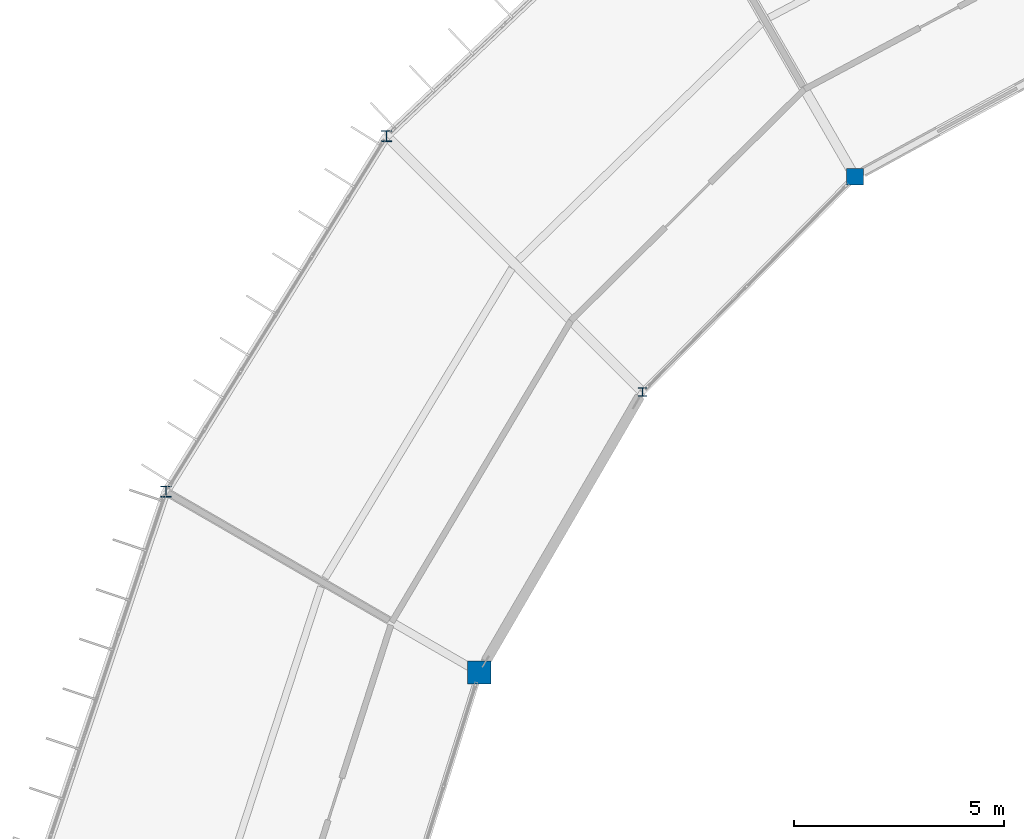
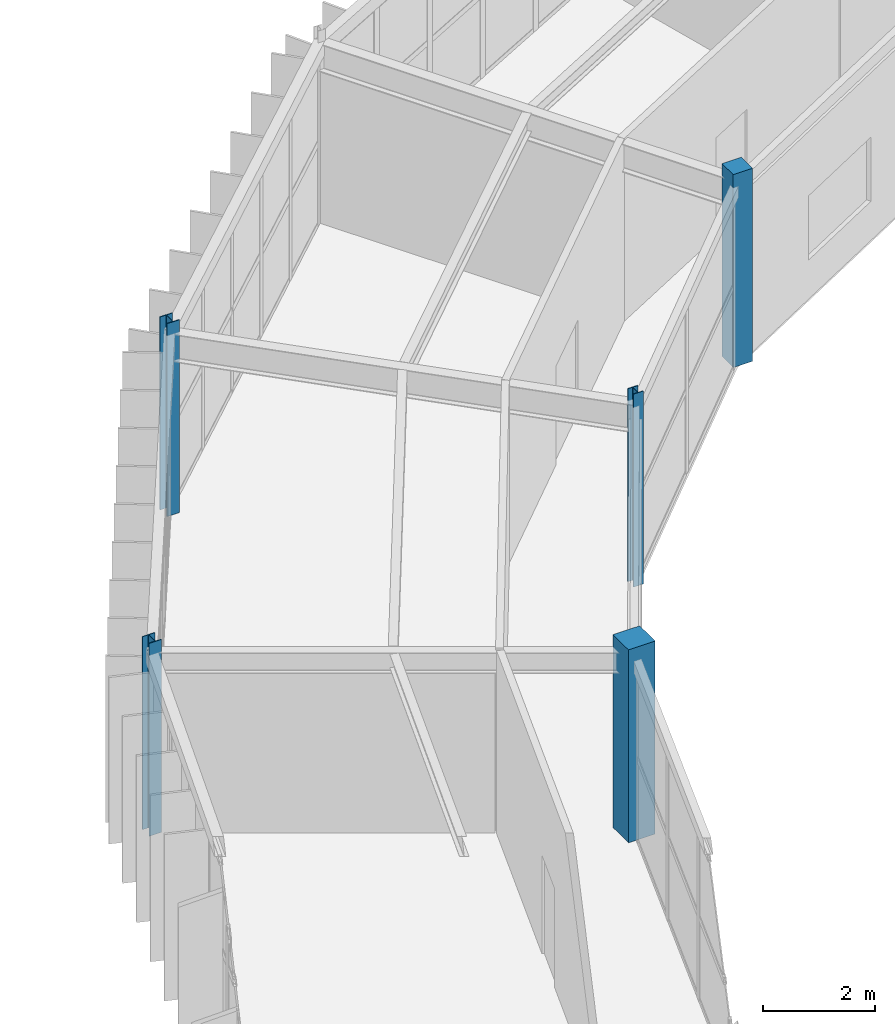
# One storey, part 14 of 157: 5 columns.
"""IFC4 building model written with IfcOpenShell, lengths in metres."""

from ifc_helpers import new_model, si_unit, direction, frame, origin, origin_2d, place, context, subcontext, project, spatial, rectangle, i_section, extrude, material, material_profile, profile_set, type_object, element, save


model = new_model("IFC4")

# Units and contexts
model_context = context("Model", 3, precision=1e-05, world=origin(), true_north=direction((0.0, 1.0)))
body_context = subcontext(model_context, "Body", "Model", "MODEL_VIEW")
ifc_project = project(units=[si_unit("LENGTHUNIT", "METRE"), si_unit("AREAUNIT", "SQUARE_METRE"), si_unit("VOLUMEUNIT", "CUBIC_METRE"), si_unit("PLANEANGLEUNIT", "RADIAN"), si_unit("MASSUNIT", "GRAM", prefix="KILO")], contexts=[model_context])

# Site, building, storey
site_placement = place(None, origin())
site = spatial("IfcSite", under=ifc_project, at=site_placement, CompositionType="ELEMENT")
building_placement = place(site_placement, origin())
building = spatial("IfcBuilding", under=site, at=building_placement, Name="Karori Crest Natural Sciences Institute", CompositionType="ELEMENT")
storey_placement = place(building_placement, frame((0.0, 0.0, 13.300048828125)))
storey = spatial("IfcBuildingStorey", under=building, at=storey_placement, Name="L03", CompositionType="ELEMENT", Elevation=13.300048828125)

# Columns
ifc_material_1 = material(Name="Structural steel AS/NZS 3679.1 Grade 350", Category="steel")
ifc_material_profile_1 = material_profile(ifc_material_1, i_section(OverallWidth=0.256103515625, OverallDepth=0.260009765625, WebThickness=0.010498046875, FlangeThickness=0.017333984375, FilletRadius=0.013916015625, at=origin_2d()), Name="250UC89.5")
ifc_profile_set_1 = profile_set([ifc_material_profile_1], Name="Structural steel AS/NZS 3679.1 Grade 350")
column_type_1 = type_object("IfcColumnType", Name="CT-06", PredefinedType="COLUMN", material=ifc_profile_set_1)
column_1_placement = place(storey_placement, frame((43.0654296875, 78.75, 0.0), z_axis=(0.0, 0.0, 1.0), x_axis=(1.0, 0.0, 0.0)))
element("IfcColumn", 1, at=column_1_placement, inside=storey, type_object=column_type_1, Name="Column C-0165", PredefinedType="COLUMN", context=body_context, shape_type="SweptSolid", body=[
    extrude(i_section(OverallWidth=0.256103515625, OverallDepth=0.260009765625, WebThickness=0.010498046875, FlangeThickness=0.017333984375, FilletRadius=0.013916015625, at=origin_2d()), origin(), (0.0, 0.0, 1.0), 4.199951171875),
])
ifc_material_profile_2 = material_profile(ifc_material_1, i_section(OverallWidth=0.25390625, OverallDepth=0.25390625, WebThickness=0.008544921875, FlangeThickness=0.01416015625, FilletRadius=0.013916015625, at=origin_2d()), Name="250UC72.9")
ifc_profile_set_2 = profile_set([ifc_material_profile_2], Name="Structural steel AS/NZS 3679.1 Grade 350")
column_type_2 = type_object("IfcColumnType", Name="CT-07", PredefinedType="COLUMN", material=ifc_profile_set_2)
column_2_placement = place(storey_placement, frame((37.8212890625, 70.300048828125, 0.0), z_axis=(0.0, 0.0, 1.0), x_axis=(1.0, 0.0, 0.0)))
element("IfcColumn", 2, at=column_2_placement, inside=storey, type_object=column_type_2, Name="Column C-0181", PredefinedType="COLUMN", context=body_context, shape_type="SweptSolid", body=[
    extrude(i_section(OverallWidth=0.25390625, OverallDepth=0.25390625, WebThickness=0.008544921875, FlangeThickness=0.01416015625, FilletRadius=0.013916015625, at=origin_2d()), origin(), (0.0, 0.0, 1.0), 4.199951171875),
])
ifc_material_profile_3 = material_profile(ifc_material_1, i_section(OverallWidth=0.205078125, OverallDepth=0.2099609375, WebThickness=0.00927734375, FlangeThickness=0.01416015625, FilletRadius=0.010986328125, at=origin_2d()), Name="200UC59.5")
ifc_profile_set_3 = profile_set([ifc_material_profile_3], Name="Structural steel AS/NZS 3679.1 Grade 350")
column_type_3 = type_object("IfcColumnType", Name="CT-08", PredefinedType="COLUMN", material=ifc_profile_set_3)
column_3_placement = place(storey_placement, frame((49.146484375, 72.668701171875, 0.0), z_axis=(0.0, 0.0, 1.0), x_axis=(1.0, 0.0, 0.0)))
element("IfcColumn", 3, at=column_3_placement, inside=storey, type_object=column_type_3, Name="Column C-0166", PredefinedType="COLUMN", context=body_context, shape_type="SweptSolid", body=[
    extrude(i_section(OverallWidth=0.205078125, OverallDepth=0.2099609375, WebThickness=0.00927734375, FlangeThickness=0.01416015625, FilletRadius=0.010986328125, at=origin_2d()), origin(), (0.0, 0.0, 1.0), 4.199951171875),
])
ifc_material_2 = material(Name="Concrete 50 MPa", Category="concrete")
ifc_material_profile_4 = material_profile(ifc_material_2, rectangle(XDim=0.550048828125, YDim=0.550048828125, at=origin_2d()), Name="RC550x550")
ifc_profile_set_4 = profile_set([ifc_material_profile_4], Name="Concrete 50 MPa")
column_type_4 = type_object("IfcColumnType", Name="CT-30", PredefinedType="COLUMN", material=ifc_profile_set_4)
column_4_placement = place(storey_placement, frame((45.26904296875, 66.0, 0.0), z_axis=(0.0, 0.0, 1.0), x_axis=(1.0, 0.0, 0.0)))
element("IfcColumn", 4, at=column_4_placement, inside=storey, type_object=column_type_4, Name="Column C-0182", PredefinedType="COLUMN", context=body_context, shape_type="SweptSolid", body=[
    extrude(rectangle(XDim=0.550048828125, YDim=0.550048828125, at=origin_2d()), origin(), (0.0, 0.0, 1.0), 4.199951171875),
])
ifc_material_profile_5 = material_profile(ifc_material_2, rectangle(XDim=0.39990234375, YDim=0.39990234375, at=origin_2d()), Name="RC400x400")
ifc_profile_set_5 = profile_set([ifc_material_profile_5], Name="Concrete 50 MPa")
column_type_5 = type_object("IfcColumnType", Name="CT-31", PredefinedType="PILASTER", material=ifc_profile_set_5)
column_5_placement = place(storey_placement, frame((54.199951171875, 77.785888671875, 0.0), z_axis=(0.0, 0.0, 1.0), x_axis=(1.0, 0.0, 0.0)))
element("IfcColumn", 5, at=column_5_placement, inside=storey, type_object=column_type_5, Name="Column C-0150", PredefinedType="PILASTER", context=body_context, shape_type="SweptSolid", body=[
    extrude(rectangle(XDim=0.39990234375, YDim=0.39990234375, at=origin_2d()), origin(), (0.0, 0.0, 1.0), 4.199951171875),
])

save(model, "model.ifc")
